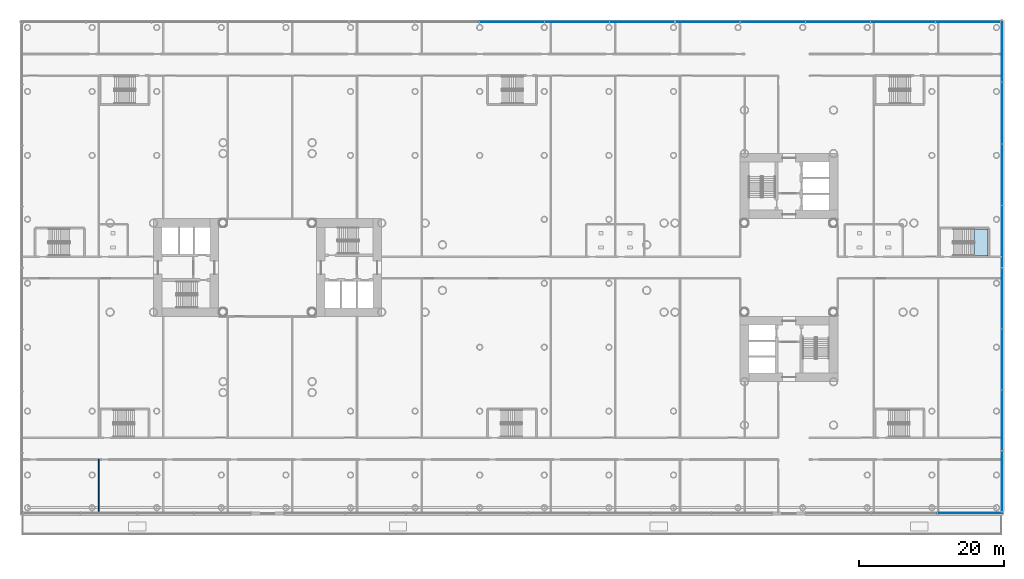
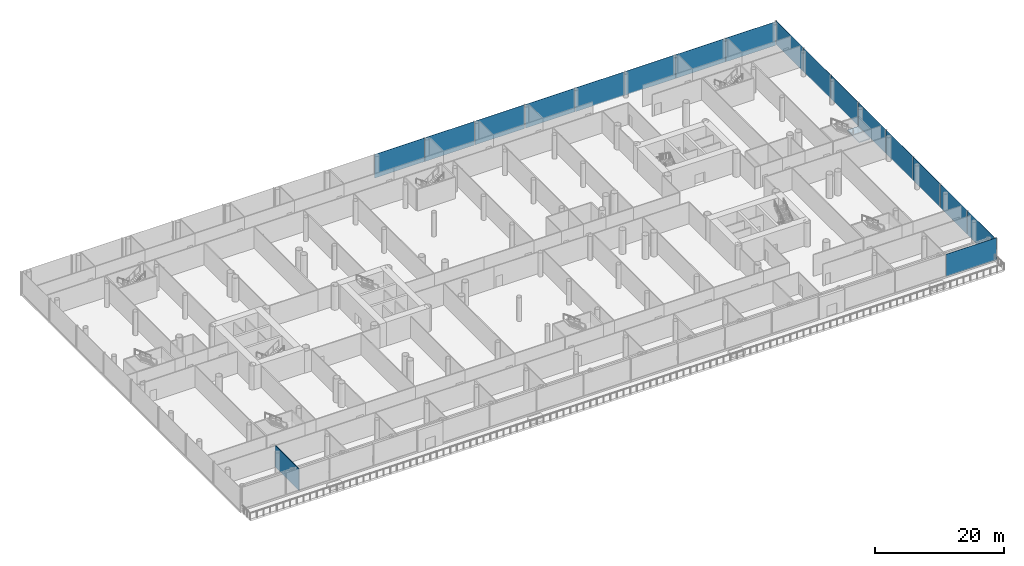
# One storey, part 16 of 51: 17 plates, 1 slab, 1 wall, 6 elements without a shape of their own.
"""IFC4 building model written with IfcOpenShell, lengths in metres."""

import ifcopenshell
import ifcopenshell.guid

model = None  # the IFC model being written
_history = None  # IfcOwnerHistory: only IFC2X3 demands one
_inside = {}  # id of a spatial element -> (the spatial element, [elements in it])
_under = {}  # id of a project, library or spatial element -> (it, [spatial elements below it])
_declared = {}  # id of a project -> (the project, [libraries it declares])
_typed = {}  # id of a type object -> (the type object, [elements of that type])
_made_of = {}  # id of a material, layer set ... -> (it, [elements and type objects made of it])


def new_model(schema):
    """Start an empty IFC model of exactly this schema.

    Asked for "IFC4X3", IfcOpenShell would pick the latest addendum, in which some entities
    have other attributes; the version numbers below select the first issue.
    IFC2X3 requires an IfcOwnerHistory on every rooted entity: one is made here for all.
    """
    global model, _history
    if schema == "IFC4X3":
        model = ifcopenshell.file(schema_version=(4, 3, 0, 0))
    else:
        model = ifcopenshell.file(schema=schema)
    _inside.clear()
    _under.clear()
    _declared.clear()
    _typed.clear()
    _made_of.clear()
    _history = None
    if model.schema == "IFC2X3":
        org = make("IfcOrganization", Name="unknown")
        user = make(
            "IfcPersonAndOrganization",
            ThePerson=make("IfcPerson", FamilyName="unknown"),
            TheOrganization=org,
        )
        app = make(
            "IfcApplication",
            ApplicationDeveloper=org,
            Version="unknown",
            ApplicationFullName="unknown",
            ApplicationIdentifier="unknown",
        )
        _history = make(
            "IfcOwnerHistory",
            OwningUser=user,
            OwningApplication=app,
            ChangeAction="ADDED",
            CreationDate=0,
        )
    return model


def make(cls, **values):
    """One entity of the class cls with the attributes given. An attribute that is None is left unset."""
    return model.create_entity(
        cls, **{name: value for name, value in values.items() if value is not None}
    )


def rooted(cls, **values):
    """An entity with a GlobalId (a new one), such as an element, a storey or a relation."""
    return make(cls, GlobalId=ifcopenshell.guid.new(), OwnerHistory=_history, **values)


def si_unit(unit_type, name, prefix=None):
    """IfcSIUnit, for example si_unit("LENGTHUNIT", "METRE", prefix="MILLI")."""
    return make("IfcSIUnit", UnitType=unit_type, Prefix=prefix, Name=name)


def assignment(units):
    """IfcUnitAssignment: the units of a project."""
    return None if units is None else make("IfcUnitAssignment", Units=units)


def point(xyz):
    """IfcCartesianPoint."""
    return None if xyz is None else make("IfcCartesianPoint", Coordinates=xyz)


def direction(xyz):
    """IfcDirection."""
    return None if xyz is None else make("IfcDirection", DirectionRatios=xyz)


def frame(location, z_axis=None, x_axis=None):
    """IfcAxis2Placement3D, a coordinate frame: its origin and axes. An axis left out is left unset."""
    return make(
        "IfcAxis2Placement3D",
        Location=point(location),
        Axis=direction(z_axis),
        RefDirection=direction(x_axis),
    )


def frame_2d(location, x_axis=None):
    """IfcAxis2Placement2D, a coordinate frame in the plane: its origin and x axis."""
    return make(
        "IfcAxis2Placement2D", Location=point(location), RefDirection=direction(x_axis)
    )


def origin():
    """The frame at (0, 0, 0) with its axes left unset."""
    return frame((0.0, 0.0, 0.0))


def origin_2d():
    """The frame at (0, 0) in the plane with its x axis left unset."""
    return frame_2d((0.0, 0.0))


def place(relative_to, where):
    """IfcLocalPlacement: puts the frame where relative to a parent placement (None: the world)."""
    return make(
        "IfcLocalPlacement", PlacementRelTo=relative_to, RelativePlacement=where
    )


def context(
    kind, dimensions, precision=None, world=None, true_north=None, identifier=None
):
    """IfcGeometricRepresentationContext, for example the 3D "Model" context."""
    return make(
        "IfcGeometricRepresentationContext",
        ContextIdentifier=identifier,
        ContextType=kind,
        CoordinateSpaceDimension=dimensions,
        Precision=precision,
        WorldCoordinateSystem=world,
        TrueNorth=true_north,
    )


def subcontext(parent, identifier, kind, view, scale=None):
    """IfcGeometricRepresentationSubContext, for example "Body" below "Model"."""
    return make(
        "IfcGeometricRepresentationSubContext",
        ContextIdentifier=identifier,
        ContextType=kind,
        ParentContext=parent,
        TargetScale=scale,
        TargetView=view,
    )


def project(units=None, contexts=None):
    """IfcProject with its units and contexts."""
    return rooted(
        "IfcProject",
        Name="project",
        RepresentationContexts=contexts,
        UnitsInContext=assignment(units),
    )


def spatial(cls, under=None, at=None, **own):
    """A site, building, storey or space (cls), placed at a placement, below another one or the project."""
    s = rooted(cls, ObjectPlacement=at, **own)
    if under is not None:
        _under.setdefault(under.id(), (under, []))[1].append(s)
    return s


def polyline(points):
    """IfcPolyline through the points."""
    return make("IfcPolyline", Points=[point(p) for p in points])


def profile(cls, at=None, kind="AREA", **sizes):
    """A parametric profile (cls). Its sizes go by their IFC names, for example OverallWidth=200.0."""
    return make(cls, ProfileType=kind, Position=at, **sizes)


def rectangle(**sizes):
    """IfcRectangleProfileDef."""
    return profile("IfcRectangleProfileDef", **sizes)


def outline(outer, holes=None, kind="AREA"):
    """IfcArbitraryClosedProfileDef: a profile drawn as a closed curve; with holes, ...WithVoids."""
    if holes is None:
        return make("IfcArbitraryClosedProfileDef", ProfileType=kind, OuterCurve=outer)
    return make(
        "IfcArbitraryProfileDefWithVoids",
        ProfileType=kind,
        OuterCurve=outer,
        InnerCurves=holes,
    )


def extrude(swept, where, along, depth):
    """IfcExtrudedAreaSolid: the profile swept, set in the frame where, extruded along a direction by depth."""
    return make(
        "IfcExtrudedAreaSolid",
        SweptArea=swept,
        Position=where,
        ExtrudedDirection=direction(along),
        Depth=depth,
    )


def shape(context_of_items, identifier, shape_type, items):
    """IfcShapeRepresentation: the items that make up one representation, for example the "Body"."""
    return make(
        "IfcShapeRepresentation",
        ContextOfItems=context_of_items,
        RepresentationIdentifier=identifier,
        RepresentationType=shape_type,
        Items=items,
    )


def material(Name=None, Category=None):
    """IfcMaterial."""
    return make("IfcMaterial", Name=Name, Category=Category)


def layer(
    of_material, thickness, ventilated=None, Name=None, Category=None, Priority=None
):
    """IfcMaterialLayer: one layer of a wall or slab, of a material (None: an air gap)."""
    return make(
        "IfcMaterialLayer",
        Material=of_material,
        LayerThickness=thickness,
        IsVentilated=ventilated,
        Name=Name,
        Category=Category,
        Priority=Priority,
    )


def layer_set(layers, Name=None):
    """IfcMaterialLayerSet."""
    return make("IfcMaterialLayerSet", MaterialLayers=layers, LayerSetName=Name)


def made_of(thing, what):
    """Note that an element or type object is made of a material, layer set ...; save() writes the relation."""
    if what is not None:
        _made_of.setdefault(what.id(), (what, []))[1].append(thing)
    return thing


def type_object(cls, material=None, **own):
    """A type object (cls), such as IfcWallType, which elements share."""
    return made_of(rooted(cls, **own), material)


def element(
    cls,
    number,
    at=None,
    inside=None,
    cuts=None,
    type_object=None,
    material=None,
    context=None,
    identifier="Body",
    shape_type=None,
    held_by="IfcProductDefinitionShape",
    body=None,
    shapes=None,
    **own,
):
    """One element of the class cls, such as IfcWall. Its Tag is "e" and its number.

    at: its placement. inside: the storey or other place that contains it. cuts: it is an
    opening in that element (IfcRelVoidsElement). A single representation is given by context,
    identifier, shape_type and body (its items); several are given by shapes. held_by: the class
    of the entity that holds the representations. save() writes the other relations.
    """
    e = rooted(cls, Tag="e%d" % number, ObjectPlacement=at, **own)
    if body is not None:
        shapes = [shape(context, identifier, shape_type, body)]
    if shapes is not None:
        e.Representation = make(held_by, Representations=shapes)
    if inside is not None:
        _inside.setdefault(inside.id(), (inside, []))[1].append(e)
    if cuts is not None:
        rooted(
            "IfcRelVoidsElement", RelatingBuildingElement=cuts, RelatedOpeningElement=e
        )
    if type_object is not None:
        _typed.setdefault(type_object.id(), (type_object, []))[1].append(e)
    return made_of(e, material)


def aggregate(whole, parts):
    """IfcRelAggregates: a whole, such as a stair, and the parts it consists of."""
    return rooted("IfcRelAggregates", RelatingObject=whole, RelatedObjects=parts)


def save(model, path):
    """Write the relations noted so far, then the file.

    IfcRelAggregates (storeys below a building ...), IfcRelContainedInSpatialStructure (elements
    in a storey), IfcRelDefinesByType, IfcRelAssociatesMaterial and IfcRelDeclares: one each for
    every whole, place, type object, material and project.
    """
    for whole, parts in _under.values():
        aggregate(whole, parts)
    for where, things in _inside.values():
        rooted(
            "IfcRelContainedInSpatialStructure",
            RelatedElements=things,
            RelatingStructure=where,
        )
    for kind, things in _typed.values():
        rooted("IfcRelDefinesByType", RelatedObjects=things, RelatingType=kind)
    for what, things in _made_of.values():
        rooted("IfcRelAssociatesMaterial", RelatedObjects=things, RelatingMaterial=what)
    for by, libraries in _declared.values():
        rooted("IfcRelDeclares", RelatingContext=by, RelatedDefinitions=libraries)
    model.write(path)


model = new_model("IFC4")

# Units and contexts
model_context = context("Model", 3, precision=1e-05, world=origin(), true_north=direction((0.0, 1.0)))
body_context = subcontext(model_context, "Body", "Model", "MODEL_VIEW")
ifc_project = project(units=[si_unit("LENGTHUNIT", "METRE"), si_unit("AREAUNIT", "SQUARE_METRE"), si_unit("VOLUMEUNIT", "CUBIC_METRE"), si_unit("PLANEANGLEUNIT", "RADIAN"), si_unit("MASSUNIT", "GRAM", prefix="KILO")], contexts=[model_context])

# Site, building, storey
site_placement = place(None, origin())
site = spatial("IfcSite", under=ifc_project, at=site_placement, CompositionType="ELEMENT")
building_placement = place(site_placement, origin())
building = spatial("IfcBuilding", under=site, at=building_placement, Name="Ipe Terrace Towers", CompositionType="ELEMENT")
storey_placement = place(building_placement, frame((0.0, 0.0, 15.5)))
storey = spatial("IfcBuildingStorey", under=building, at=storey_placement, Name="L03", CompositionType="ELEMENT", Elevation=15.5)

# Stair, slab
ifc_material_1 = material(Name="Concrete C30/37", Category="concrete")
stair_type = type_object("IfcStairType", Name="Protected exit stair", PredefinedType="HALF_TURN_STAIR", material=ifc_material_1)
stair_placement = place(storey_placement, origin())
stair = element("IfcStair", 1, at=stair_placement, inside=storey, type_object=stair_type, Name="L03 Podium exit stair PS8", PredefinedType="HALF_TURN_STAIR")
ifc_material_2 = material(Name="Concrete C30/37", Category="concrete")
ifc_layer_1 = layer(ifc_material_2, 0.199951171875)
ifc_layer_set_1 = layer_set([ifc_layer_1], Name="Exit stair landing 200")
slab_type = type_object("IfcSlabType", Name="Exit stair landing 200", PredefinedType="LANDING", material=ifc_layer_set_1)
slab_placement = place(storey_placement, frame((0.0, 0.0, 2.050048828125)))
slab = element("IfcSlab", 2, at=slab_placement, type_object=slab_type, Name="PS8 landing 1", PredefinedType="LANDING", context=body_context, shape_type="SweptSolid", body=[
    extrude(outline(polyline([(61.550048828125, 1.60009765625), (63.489990234375, 1.60009765625), (63.489990234375, 5.35009765625), (61.550048828125, 5.35009765625), (61.550048828125, 1.60009765625)])), origin(), (0.0, 0.0, 1.0), 0.199951171875),
])
aggregate(stair, [slab])

# Curtain wall, plates
ifc_material_3 = material(Name="Aluminium alloy 6063-T6", Category="aluminium")
ifc_layer_2 = layer(ifc_material_3, 0.43994140625)
ifc_layer_set_2 = layer_set([ifc_layer_2], Name="PODIUM GLAZING CURTAIN WALL")
curtain_wall_type = type_object("IfcCurtainWallType", Name="PODIUM GLAZING CURTAIN WALL", PredefinedType="NOTDEFINED", material=ifc_layer_set_2)
curtain_wall_1_placement = place(storey_placement, origin())
curtain_wall_1 = element("IfcCurtainWall", 3, at=curtain_wall_1_placement, inside=storey, type_object=curtain_wall_type, Name="POD-CW-L03-00a curtain wall", PredefinedType="NOTDEFINED")
ifc_material_4 = material(Name="Glass, clear laminated", Category="glass")
ifc_layer_3 = layer(ifc_material_4, 0.035888671875)
ifc_layer_set_3 = layer_set([ifc_layer_3], Name="PODIUM GLAZING GLASS PANEL 36")
plate_type = type_object("IfcPlateType", Name="PODIUM GLAZING GLASS PANEL 36", PredefinedType="CURTAIN_PANEL", material=ifc_layer_set_3)
plate_1_placement = place(storey_placement, frame((65.39990234375, -29.501220703125, -0.300048828125), z_axis=(0.0, 0.0, 1.0), x_axis=(0.0, 1.0, 0.0)))
plate_1 = element("IfcPlate", 4, at=plate_1_placement, type_object=plate_type, Name="POD-CW-L03-00a panel 1", PredefinedType="CURTAIN_PANEL", context=body_context, shape_type="SweptSolid", body=[
    extrude(rectangle(XDim=8.33740234375, YDim=0.035888671875, at=origin_2d()), origin(), (0.0, 0.0, 1.0), 4.5),
])
plate_2_placement = place(storey_placement, frame((65.39990234375, -21.083740234375, -0.300048828125), z_axis=(0.0, 0.0, 1.0), x_axis=(0.0, 1.0, 0.0)))
plate_2 = element("IfcPlate", 5, at=plate_2_placement, type_object=plate_type, Name="POD-CW-L03-00a panel 2", PredefinedType="CURTAIN_PANEL", context=body_context, shape_type="SweptSolid", body=[
    extrude(rectangle(XDim=8.33740234375, YDim=0.035888671875, at=origin_2d()), origin(), (0.0, 0.0, 1.0), 4.5),
])
plate_3_placement = place(storey_placement, frame((65.39990234375, -12.666259765625, -0.300048828125), z_axis=(0.0, 0.0, 1.0), x_axis=(0.0, 1.0, 0.0)))
plate_3 = element("IfcPlate", 6, at=plate_3_placement, type_object=plate_type, Name="POD-CW-L03-00a panel 3", PredefinedType="CURTAIN_PANEL", context=body_context, shape_type="SweptSolid", body=[
    extrude(rectangle(XDim=8.33740234375, YDim=0.035888671875, at=origin_2d()), origin(), (0.0, 0.0, 1.0), 4.5),
])
plate_4_placement = place(storey_placement, frame((65.39990234375, -4.248779296875, -0.300048828125), z_axis=(0.0, 0.0, 1.0), x_axis=(0.0, 1.0, 0.0)))
plate_4 = element("IfcPlate", 7, at=plate_4_placement, type_object=plate_type, Name="POD-CW-L03-00a panel 4", PredefinedType="CURTAIN_PANEL", context=body_context, shape_type="SweptSolid", body=[
    extrude(rectangle(XDim=8.33740234375, YDim=0.035888671875, at=origin_2d()), origin(), (0.0, 0.0, 1.0), 4.5),
])
aggregate(curtain_wall_1, [plate_1, plate_2, plate_3, plate_4])

curtain_wall_2_placement = place(storey_placement, origin())
curtain_wall_2 = element("IfcCurtainWall", 8, at=curtain_wall_2_placement, inside=storey, type_object=curtain_wall_type, Name="POD-CW-L03-00b curtain wall", PredefinedType="NOTDEFINED")
plate_5_placement = place(storey_placement, frame((65.39990234375, 4.3037109375, -0.300048828125), z_axis=(0.0, 0.0, 1.0), x_axis=(0.0, 1.0, 0.0)))
plate_5 = element("IfcPlate", 9, at=plate_5_placement, type_object=plate_type, Name="POD-CW-L03-00b panel 1", PredefinedType="CURTAIN_PANEL", context=body_context, shape_type="SweptSolid", body=[
    extrude(rectangle(XDim=8.447509765625, YDim=0.035888671875, at=origin_2d()), origin(), (0.0, 0.0, 1.0), 4.5),
])
plate_6_placement = place(storey_placement, frame((65.39990234375, 12.831298828125, -0.300048828125), z_axis=(0.0, 0.0, 1.0), x_axis=(0.0, 1.0, 0.0)))
plate_6 = element("IfcPlate", 10, at=plate_6_placement, type_object=plate_type, Name="POD-CW-L03-00b panel 2", PredefinedType="CURTAIN_PANEL", context=body_context, shape_type="SweptSolid", body=[
    extrude(rectangle(XDim=8.447509765625, YDim=0.035888671875, at=origin_2d()), origin(), (0.0, 0.0, 1.0), 4.5),
])
plate_7_placement = place(storey_placement, frame((65.39990234375, 21.358642578125, -0.300048828125), z_axis=(0.0, 0.0, 1.0), x_axis=(0.0, 1.0, 0.0)))
plate_7 = element("IfcPlate", 11, at=plate_7_placement, type_object=plate_type, Name="POD-CW-L03-00b panel 3", PredefinedType="CURTAIN_PANEL", context=body_context, shape_type="SweptSolid", body=[
    extrude(rectangle(XDim=8.447509765625, YDim=0.035888671875, at=origin_2d()), origin(), (0.0, 0.0, 1.0), 4.5),
])
plate_8_placement = place(storey_placement, frame((65.39990234375, 29.88623046875, -0.300048828125), z_axis=(0.0, 0.0, 1.0), x_axis=(0.0, 1.0, 0.0)))
plate_8 = element("IfcPlate", 12, at=plate_8_placement, type_object=plate_type, Name="POD-CW-L03-00b panel 4", PredefinedType="CURTAIN_PANEL", context=body_context, shape_type="SweptSolid", body=[
    extrude(rectangle(XDim=8.447509765625, YDim=0.035888671875, at=origin_2d()), origin(), (0.0, 0.0, 1.0), 4.5),
])
aggregate(curtain_wall_2, [plate_5, plate_6, plate_7, plate_8])

curtain_wall_3_placement = place(storey_placement, origin())
curtain_wall_3 = element("IfcCurtainWall", 13, at=curtain_wall_3_placement, inside=storey, type_object=curtain_wall_type, Name="POD-CW-L03-01a curtain wall", PredefinedType="NOTDEFINED")
plate_9_placement = place(storey_placement, frame((60.718017578125, 33.89990234375, -0.300048828125), z_axis=(0.0, 0.0, 1.0), x_axis=(-1.0, 0.0, 0.0)))
plate_9 = element("IfcPlate", 14, at=plate_9_placement, type_object=plate_type, Name="POD-CW-L03-01a panel 1", PredefinedType="CURTAIN_PANEL", context=body_context, shape_type="SweptSolid", body=[
    extrude(rectangle(XDim=8.904052734375, YDim=0.035888671875, at=origin_2d()), origin(), (0.0, 0.0, 1.0), 4.5),
])
plate_10_placement = place(storey_placement, frame((51.73388671875, 33.89990234375, -0.300048828125), z_axis=(0.0, 0.0, 1.0), x_axis=(-1.0, 0.0, 0.0)))
plate_10 = element("IfcPlate", 15, at=plate_10_placement, type_object=plate_type, Name="POD-CW-L03-01a panel 2", PredefinedType="CURTAIN_PANEL", context=body_context, shape_type="SweptSolid", body=[
    extrude(rectangle(XDim=8.904052734375, YDim=0.035888671875, at=origin_2d()), origin(), (0.0, 0.0, 1.0), 4.5),
])
plate_11_placement = place(storey_placement, frame((42.75, 33.89990234375, -0.300048828125), z_axis=(0.0, 0.0, 1.0), x_axis=(-1.0, 0.0, 0.0)))
plate_11 = element("IfcPlate", 16, at=plate_11_placement, type_object=plate_type, Name="POD-CW-L03-01a panel 3", PredefinedType="CURTAIN_PANEL", context=body_context, shape_type="SweptSolid", body=[
    extrude(rectangle(XDim=8.904052734375, YDim=0.035888671875, at=origin_2d()), origin(), (0.0, 0.0, 1.0), 4.5),
])
plate_12_placement = place(storey_placement, frame((33.76611328125, 33.89990234375, -0.300048828125), z_axis=(0.0, 0.0, 1.0), x_axis=(-1.0, 0.0, 0.0)))
plate_12 = element("IfcPlate", 17, at=plate_12_placement, type_object=plate_type, Name="POD-CW-L03-01a panel 4", PredefinedType="CURTAIN_PANEL", context=body_context, shape_type="SweptSolid", body=[
    extrude(rectangle(XDim=8.904052734375, YDim=0.035888671875, at=origin_2d()), origin(), (0.0, 0.0, 1.0), 4.5),
])
plate_13_placement = place(storey_placement, frame((24.781982421875, 33.89990234375, -0.300048828125), z_axis=(0.0, 0.0, 1.0), x_axis=(-1.0, 0.0, 0.0)))
plate_13 = element("IfcPlate", 18, at=plate_13_placement, type_object=plate_type, Name="POD-CW-L03-01a panel 5", PredefinedType="CURTAIN_PANEL", context=body_context, shape_type="SweptSolid", body=[
    extrude(rectangle(XDim=8.904052734375, YDim=0.035888671875, at=origin_2d()), origin(), (0.0, 0.0, 1.0), 4.5),
])
aggregate(curtain_wall_3, [plate_9, plate_10, plate_11, plate_12, plate_13])

curtain_wall_4_placement = place(storey_placement, origin())
curtain_wall_4 = element("IfcCurtainWall", 19, at=curtain_wall_4_placement, inside=storey, type_object=curtain_wall_type, Name="POD-CW-L03-01b curtain wall", PredefinedType="NOTDEFINED")
plate_14_placement = place(storey_placement, frame((15.718017578125, 33.89990234375, -0.300048828125), z_axis=(0.0, 0.0, 1.0), x_axis=(-1.0, 0.0, 0.0)))
plate_14 = element("IfcPlate", 20, at=plate_14_placement, type_object=plate_type, Name="POD-CW-L03-01b panel 1", PredefinedType="CURTAIN_PANEL", context=body_context, shape_type="SweptSolid", body=[
    extrude(rectangle(XDim=8.904052734375, YDim=0.035888671875, at=origin_2d()), origin(), (0.0, 0.0, 1.0), 4.5),
])
plate_15_placement = place(storey_placement, frame((6.73388671875, 33.89990234375, -0.300048828125), z_axis=(0.0, 0.0, 1.0), x_axis=(-1.0, 0.0, 0.0)))
plate_15 = element("IfcPlate", 21, at=plate_15_placement, type_object=plate_type, Name="POD-CW-L03-01b panel 2", PredefinedType="CURTAIN_PANEL", context=body_context, shape_type="SweptSolid", body=[
    extrude(rectangle(XDim=8.904052734375, YDim=0.035888671875, at=origin_2d()), origin(), (0.0, 0.0, 1.0), 4.5),
])
plate_16_placement = place(storey_placement, frame((-2.25, 33.89990234375, -0.300048828125), z_axis=(0.0, 0.0, 1.0), x_axis=(-1.0, 0.0, 0.0)))
plate_16 = element("IfcPlate", 22, at=plate_16_placement, type_object=plate_type, Name="POD-CW-L03-01b panel 3", PredefinedType="CURTAIN_PANEL", context=body_context, shape_type="SweptSolid", body=[
    extrude(rectangle(XDim=8.904052734375, YDim=0.035888671875, at=origin_2d()), origin(), (0.0, 0.0, 1.0), 4.5),
])
aggregate(curtain_wall_4, [plate_14, plate_15, plate_16])

# Curtain wall, plate
curtain_wall_5_placement = place(storey_placement, origin())
curtain_wall_5 = element("IfcCurtainWall", 23, at=curtain_wall_5_placement, inside=storey, type_object=curtain_wall_type, Name="POD-CW-L03-03f curtain wall", PredefinedType="NOTDEFINED")
plate_17_placement = place(storey_placement, frame((61.090087890625, -33.89990234375, -0.02001953125), z_axis=(0.0, 0.0, 1.0), x_axis=(1.0, 0.0, 0.0)))
plate_17 = element("IfcPlate", 24, at=plate_17_placement, type_object=plate_type, Name="POD-CW-L03-03f panel 3", PredefinedType="CURTAIN_PANEL", context=body_context, shape_type="SweptSolid", body=[
    extrude(rectangle(XDim=9.0400390625, YDim=0.035888671875, at=origin_2d()), origin(), (0.0, 0.0, 1.0), 4.219970703125),
])
aggregate(curtain_wall_5, [plate_17])

# Wall
ifc_material_5 = material(Name="Gypsum board partition", Category="plasterboard")
ifc_layer_4 = layer(ifc_material_5, 0.14990234375)
ifc_layer_set_4 = layer_set([ifc_layer_4], Name="Gypsum board partition 150 mm")
wall_type = type_object("IfcWallType", Name="Gypsum board partition 150 mm", PredefinedType="PARTITIONING", material=ifc_layer_set_4)
wall_placement = place(storey_placement, frame((-59.330078125, -26.5, 0.0), z_axis=(0.0, 0.0, 1.0), x_axis=(0.0, -1.0, 0.0)))
element("IfcWall", 25, at=wall_placement, inside=storey, type_object=wall_type, Name="Gypsum board partition T1 L03 pd-r0-r4-w1", PredefinedType="PARTITIONING", context=body_context, shape_type="SweptSolid", body=[
    extrude(rectangle(XDim=7.35009765625, YDim=0.14990234375, at=frame_2d((3.675048828125, 0.0))), origin(), (0.0, 0.0, 1.0), 4.080078125),
])

save(model, "model.ifc")
